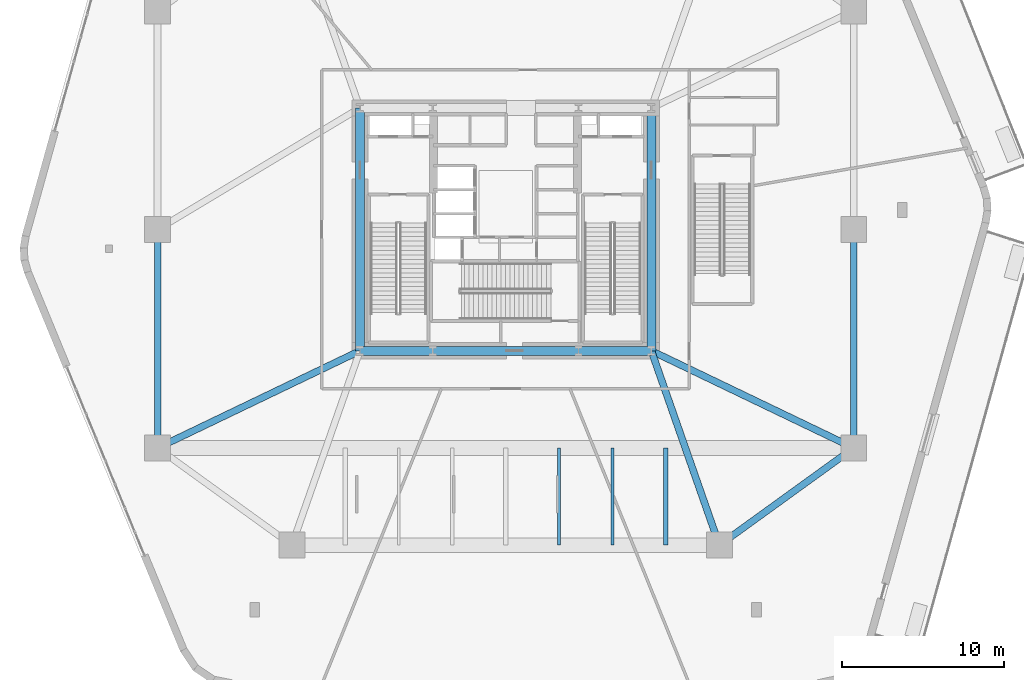
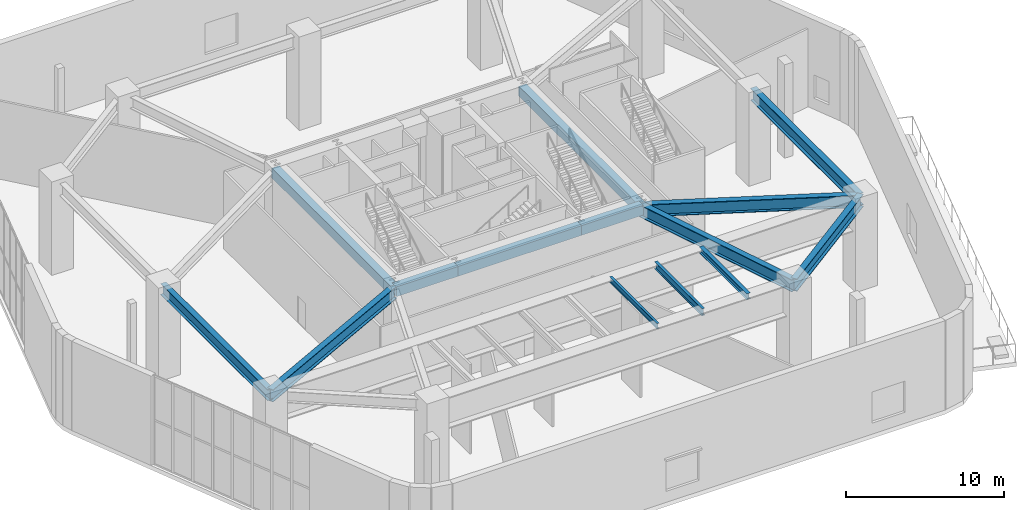
# One storey, part 5 of 17: 14 beams.
"""IFC4 building model written with IfcOpenShell, lengths in metres."""

from ifc_helpers import new_model, si_unit, direction, frame, origin, origin_2d, place, context, subcontext, project, spatial, rectangle, i_section, extrude, material, material_profile, profile_set, type_object, element, save


model = new_model("IFC4")

# Units and contexts
model_context = context("Model", 3, precision=1e-05, world=origin(), true_north=direction((0.0, 1.0)))
body_context = subcontext(model_context, "Body", "Model", "MODEL_VIEW")
ifc_project = project(units=[si_unit("LENGTHUNIT", "METRE"), si_unit("AREAUNIT", "SQUARE_METRE"), si_unit("VOLUMEUNIT", "CUBIC_METRE"), si_unit("PLANEANGLEUNIT", "RADIAN"), si_unit("MASSUNIT", "GRAM", prefix="KILO")], contexts=[model_context])

# Site, building, storey
site_placement = place(None, origin())
site = spatial("IfcSite", under=ifc_project, at=site_placement, CompositionType="ELEMENT")
building_placement = place(site_placement, origin())
building = spatial("IfcBuilding", under=site, at=building_placement, Name="Kilnhurst Terrace Hotel", CompositionType="ELEMENT")
storey_placement = place(building_placement, frame((0.0, 0.0, 11.39990234375)))
storey = spatial("IfcBuildingStorey", under=building, at=storey_placement, Name="L02", CompositionType="ELEMENT", Elevation=11.39990234375)

# Beams
ifc_material_1 = material(Name="Concrete C50/60", Category="concrete")
ifc_material_profile_1 = material_profile(ifc_material_1, rectangle(XDim=0.550048828125, YDim=0.75, at=origin_2d()), Name="RC550X750")
ifc_profile_set_1 = profile_set([ifc_material_profile_1], Name="Concrete C50/60")
beam_type_1 = type_object("IfcBeamType", Name="BM-SPN-550X750", PredefinedType="SPANDREL", material=ifc_profile_set_1)
beam_1_placement = place(storey_placement, frame((-9.0, -7.5, 6.505126953125), z_axis=(1.0, 0.0, 0.0), x_axis=(0.0, 1.0, 0.0)))
element("IfcBeam", 1, at=beam_1_placement, inside=storey, type_object=beam_type_1, Name="L02 Core Tie Beam CC-SW to CC-SC1", PredefinedType="SPANDREL", context=body_context, shape_type="SweptSolid", body=[
    extrude(rectangle(XDim=0.550048828125, YDim=0.75, at=origin_2d()), origin(), (0.0, 0.0, 1.0), 4.5),
])
beam_2_placement = place(storey_placement, frame((-4.5, -7.5, 6.505126953125), z_axis=(1.0, 0.0, 0.0), x_axis=(0.0, 1.0, 0.0)))
element("IfcBeam", 2, at=beam_2_placement, inside=storey, type_object=beam_type_1, Name="L02 Core Tie Beam CC-SC1 to CC-SC2", PredefinedType="SPANDREL", context=body_context, shape_type="SweptSolid", body=[
    extrude(rectangle(XDim=0.550048828125, YDim=0.75, at=origin_2d()), origin(), (0.0, 0.0, 1.0), 9.0),
])
beam_3_placement = place(storey_placement, frame((4.5, -7.5, 6.505126953125), z_axis=(1.0, 0.0, 0.0), x_axis=(0.0, 1.0, 0.0)))
element("IfcBeam", 3, at=beam_3_placement, inside=storey, type_object=beam_type_1, Name="L02 Core Tie Beam CC-SC2 to CC-SE", PredefinedType="SPANDREL", context=body_context, shape_type="SweptSolid", body=[
    extrude(rectangle(XDim=0.550048828125, YDim=0.75, at=origin_2d()), origin(), (0.0, 0.0, 1.0), 4.5),
])
for number, where, z_axis, x_axis, name in (
    (4, (-9.0, -7.5, 6.505126953125), (0.0, 1.0, 0.0), (-1.0, 0.0, 0.0), "L02 Core Tie Beam CC-SW to CC-NW"),
    (5, (9.0, -7.5, 6.505126953125), (0.0, 1.0, 0.0), (-1.0, 0.0, 0.0), "L02 Core Tie Beam CC-SE to CC-NE"),
):
    element("IfcBeam", number, at=place(storey_placement, frame(where, z_axis=z_axis, x_axis=x_axis)), inside=storey, type_object=beam_type_1, Name=name, PredefinedType="SPANDREL", context=body_context, shape_type="SweptSolid", body=[
        extrude(rectangle(XDim=0.550048828125, YDim=0.75, at=origin_2d()), origin(), (0.0, 0.0, 1.0), 15.0),
    ])
ifc_material_2 = material(Name="Steel ASTM A992 Grade 50", Category="steel")
ifc_material_profile_2 = material_profile(ifc_material_2, i_section(OverallWidth=0.39990234375, OverallDepth=0.85546875, WebThickness=0.018310546875, FlangeThickness=0.029296875, at=origin_2d()), Name="W33X201")
ifc_profile_set_2 = profile_set([ifc_material_profile_2], Name="Steel ASTM A992 Grade 50")
beam_type_2 = type_object("IfcBeamType", Name="BM-STL-W33X201", PredefinedType="BEAM", material=ifc_profile_set_2)
beam_4_placement = place(storey_placement, frame((-21.5, -13.5, 6.4521484375), z_axis=(0.0, 1.0, 0.0), x_axis=(-1.0, 0.0, 0.0)))
element("IfcBeam", 6, at=beam_4_placement, inside=storey, type_object=beam_type_2, Name="L02 Podium Frame Beam 1", PredefinedType="BEAM", context=body_context, shape_type="SweptSolid", body=[
    extrude(i_section(OverallWidth=0.39990234375, OverallDepth=0.85546875, WebThickness=0.018310546875, FlangeThickness=0.029296875, at=origin_2d()), origin(), (0.0, 0.0, 1.0), 13.5),
])
ifc_material_profile_3 = material_profile(ifc_material_2, i_section(OverallWidth=0.423095703125, OverallDepth=0.9482421875, WebThickness=0.02392578125, FlangeThickness=0.042724609375, at=origin_2d()), Name="W36X302")
ifc_profile_set_3 = profile_set([ifc_material_profile_3], Name="Steel ASTM A992 Grade 50")
beam_type_3 = type_object("IfcBeamType", Name="BM-STL-W36X302", PredefinedType="BEAM", material=ifc_profile_set_3)
beam_5_placement = place(storey_placement, frame((21.5, 0.0, 6.406005859375), z_axis=(0.0, -1.0, 0.0), x_axis=(1.0, 0.0, 0.0)))
element("IfcBeam", 7, at=beam_5_placement, inside=storey, type_object=beam_type_3, Name="L02 Podium Frame Beam 8", PredefinedType="BEAM", context=body_context, shape_type="SweptSolid", body=[
    extrude(i_section(OverallWidth=0.423095703125, OverallDepth=0.9482421875, WebThickness=0.02392578125, FlangeThickness=0.042724609375, at=origin_2d()), origin(), (0.0, 0.0, 1.0), 13.5),
])
for number, where, z_axis, x_axis, name in (
    (8, (-21.5, -13.5, 6.406005859375), (0.901523057468, 0.432731067585, 0.0), (-0.432731067585, 0.901523057468, 0.0), "L02 Podium Frame Beam 10"),
    (9, (21.5, -13.5, 6.406005859375), (-0.901523057468, 0.432731067585, 0.0), (-0.432731067585, -0.901523057468, 0.0), "L02 Podium Frame Beam 12"),
):
    element("IfcBeam", number, at=place(storey_placement, frame(where, z_axis=z_axis, x_axis=x_axis)), inside=storey, type_object=beam_type_3, Name=name, PredefinedType="BEAM", context=body_context, shape_type="SweptSolid", body=[
        extrude(i_section(OverallWidth=0.423095703125, OverallDepth=0.9482421875, WebThickness=0.02392578125, FlangeThickness=0.042724609375, at=origin_2d()), origin(), (0.0, 0.0, 1.0), 13.865478515625),
    ])
beam_6_placement = place(storey_placement, frame((13.199951171875, -19.5, 6.406005859375), z_axis=(-0.330347003279, 0.943859553866, 0.0), x_axis=(-0.943859553866, -0.330347003279, 0.0)))
element("IfcBeam", 10, at=beam_6_placement, inside=storey, type_object=beam_type_3, Name="L02 Podium Frame Beam 16", PredefinedType="BEAM", context=body_context, shape_type="SweptSolid", body=[
    extrude(i_section(OverallWidth=0.423095703125, OverallDepth=0.9482421875, WebThickness=0.02392578125, FlangeThickness=0.042724609375, at=origin_2d()), origin(), (0.0, 0.0, 1.0), 12.7138671875),
])
beam_7_placement = place(storey_placement, frame((21.5, -13.5, 6.406005859375), z_axis=(-0.810423314702, -0.585844732833, 0.0), x_axis=(0.585844732833, -0.810423314702, 0.0)))
element("IfcBeam", 11, at=beam_7_placement, inside=storey, type_object=beam_type_3, Name="L02 Podium Frame Beam 18", PredefinedType="BEAM", context=body_context, shape_type="SweptSolid", body=[
    extrude(i_section(OverallWidth=0.423095703125, OverallDepth=0.9482421875, WebThickness=0.02392578125, FlangeThickness=0.042724609375, at=origin_2d()), origin(), (0.0, 0.0, 1.0), 10.24169921875),
])
ifc_material_profile_4 = material_profile(ifc_material_2, i_section(OverallWidth=0.180908203125, OverallDepth=0.417236328125, WebThickness=0.010986328125, FlangeThickness=0.018310546875, at=origin_2d()), Name="W16X57")
ifc_profile_set_4 = profile_set([ifc_material_profile_4], Name="Steel ASTM A992 Grade 50")
beam_type_4 = type_object("IfcBeamType", Name="JST-STL-W16X57", PredefinedType="JOIST", material=ifc_profile_set_4)
beam_8_placement = place(storey_placement, frame((3.300048828125, -19.5, 6.671142578125), z_axis=(0.0, 1.0, 0.0), x_axis=(-1.0, 0.0, 0.0)))
element("IfcBeam", 12, at=beam_8_placement, inside=storey, type_object=beam_type_4, Name="L02 Ballroom Long-Span Secondary Joist 5", PredefinedType="JOIST", context=body_context, shape_type="SweptSolid", body=[
    extrude(i_section(OverallWidth=0.180908203125, OverallDepth=0.417236328125, WebThickness=0.010986328125, FlangeThickness=0.018310546875, at=origin_2d()), origin(), (0.0, 0.0, 1.0), 6.0),
])
ifc_material_profile_5 = material_profile(ifc_material_2, i_section(OverallWidth=0.279296875, OverallDepth=0.462890625, WebThickness=0.0107421875, FlangeThickness=0.017333984375, at=origin_2d()), Name="W18X76")
ifc_profile_set_5 = profile_set([ifc_material_profile_5], Name="Steel ASTM A992 Grade 50")
beam_type_5 = type_object("IfcBeamType", Name="JST-STL-W18X76", PredefinedType="JOIST", material=ifc_profile_set_5)
beam_9_placement = place(storey_placement, frame((9.89990234375, -19.5, 6.648193359375), z_axis=(0.0, 1.0, 0.0), x_axis=(-1.0, 0.0, 0.0)))
element("IfcBeam", 13, at=beam_9_placement, inside=storey, type_object=beam_type_5, Name="L02 Ballroom Long-Span Secondary Joist 7", PredefinedType="JOIST", context=body_context, shape_type="SweptSolid", body=[
    extrude(i_section(OverallWidth=0.279296875, OverallDepth=0.462890625, WebThickness=0.0107421875, FlangeThickness=0.017333984375, at=origin_2d()), origin(), (0.0, 0.0, 1.0), 6.0),
])
ifc_material_profile_6 = material_profile(ifc_material_2, i_section(OverallWidth=0.2138671875, OverallDepth=0.549072265625, WebThickness=0.0146484375, FlangeThickness=0.023681640625, at=origin_2d()), Name="W21X93")
ifc_profile_set_6 = profile_set([ifc_material_profile_6], Name="Steel ASTM A992 Grade 50")
beam_type_6 = type_object("IfcBeamType", Name="JST-STL-W21X93", PredefinedType="JOIST", material=ifc_profile_set_6)
beam_10_placement = place(storey_placement, frame((6.60009765625, -19.5, 6.60498046875), z_axis=(0.0, 1.0, 0.0), x_axis=(-1.0, 0.0, 0.0)))
element("IfcBeam", 14, at=beam_10_placement, inside=storey, type_object=beam_type_6, Name="L02 Ballroom Long-Span Secondary Joist 6", PredefinedType="JOIST", context=body_context, shape_type="SweptSolid", body=[
    extrude(i_section(OverallWidth=0.2138671875, OverallDepth=0.549072265625, WebThickness=0.0146484375, FlangeThickness=0.023681640625, at=origin_2d()), origin(), (0.0, 0.0, 1.0), 6.0),
])

save(model, "model.ifc")
